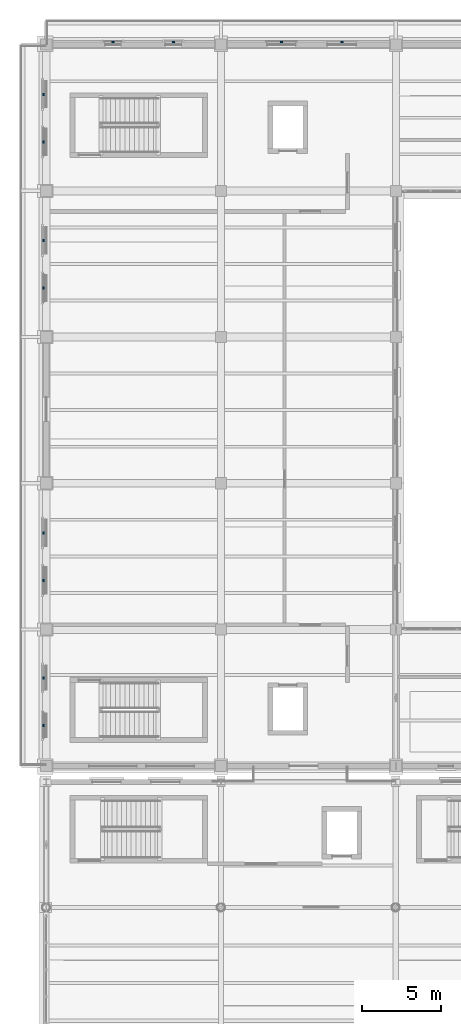
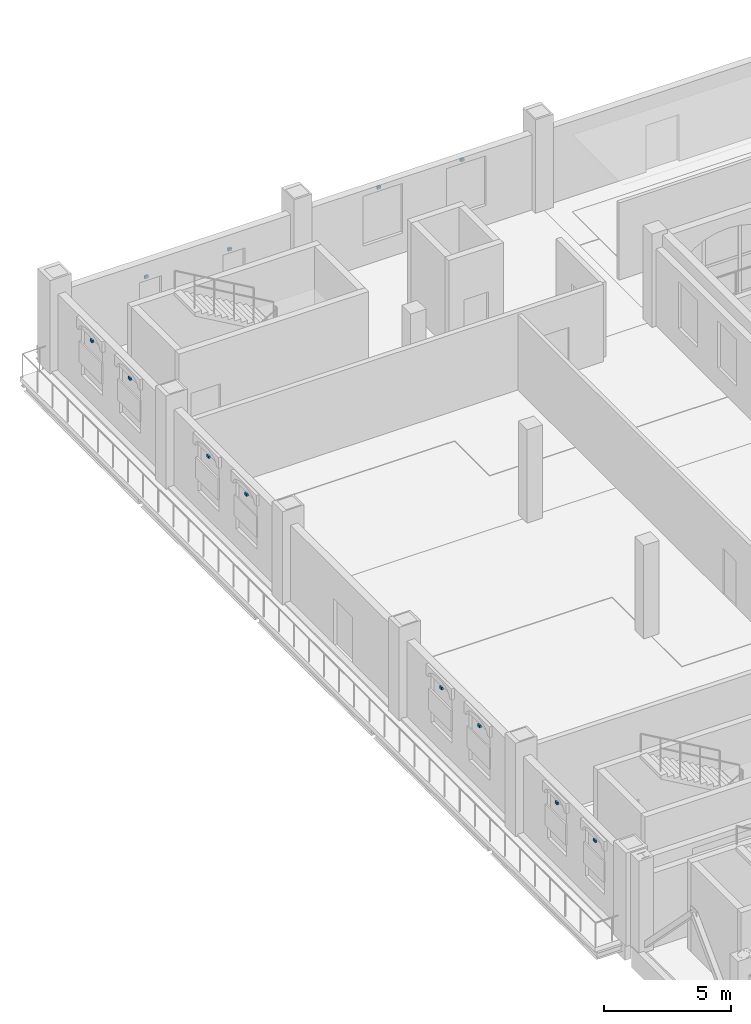
# One storey, part 132 of 156: 12 discrete accessories.
"""IFC4 building model written with IfcOpenShell, lengths in metres."""

from ifc_helpers import new_model, si_unit, direction, frame, origin, origin_2d, place, context, subcontext, project, spatial, rectangle, extrude, material, type_object, element, save


model = new_model("IFC4")

# Units and contexts
model_context = context("Model", 3, precision=1e-05, world=origin(), true_north=direction((0.0, 1.0)))
body_context = subcontext(model_context, "Body", "Model", "MODEL_VIEW")
ifc_project = project(units=[si_unit("LENGTHUNIT", "METRE"), si_unit("AREAUNIT", "SQUARE_METRE"), si_unit("VOLUMEUNIT", "CUBIC_METRE"), si_unit("PLANEANGLEUNIT", "RADIAN"), si_unit("MASSUNIT", "GRAM", prefix="KILO")], contexts=[model_context])

# Site, building, storey
site_placement = place(None, origin())
site = spatial("IfcSite", under=ifc_project, at=site_placement, CompositionType="ELEMENT")
building_placement = place(site_placement, origin())
building = spatial("IfcBuilding", under=site, at=building_placement, Name="Caurita Quay Ferry Terminal", CompositionType="ELEMENT")
storey_placement = place(building_placement, frame((0.0, 0.0, 5.39990234375)))
storey = spatial("IfcBuildingStorey", under=building, at=storey_placement, Name="L01", CompositionType="ELEMENT", Elevation=5.39990234375)

# Discrete accessories
ifc_material = material(Name="Structural plate steel ASTM A572 Gr. 50", Category="steel")
discrete_accessory_type = type_object("IfcDiscreteAccessoryType", Name="ACC-BRK-01", PredefinedType="BRACKET", material=ifc_material)
for number, where, z_axis, x_axis, name in (
    (1, (8.0, 117.169921875, 2.610107421875), (0.0, 0.0, 1.0), (-1.0, 0.0, 0.0), "L01 Sun-Breaker Bracket 001"),
    (2, (4.199951171875, 117.169921875, 2.610107421875), (0.0, 0.0, 1.0), (-1.0, 0.0, 0.0), "L01 Sun-Breaker Bracket 002"),
    (3, (18.60009765625, 117.169921875, 3.2099609375), (0.0, 0.0, 1.0), (-1.0, 0.0, 0.0), "L01 Sun-Breaker Bracket 003"),
    (4, (14.800048828125, 117.169921875, 3.2099609375), (0.0, 0.0, 1.0), (-1.0, 0.0, 0.0), "L01 Sun-Breaker Bracket 004"),
    (5, (-0.169921875, 77.14990234375, 3.06005859375), (0.0, 0.0, 1.0), (0.0, -1.0, 0.0), "L01 Sun-Breaker Bracket 035"),
    (6, (-0.169921875, 74.14990234375, 3.06005859375), (0.0, 0.0, 1.0), (0.0, -1.0, 0.0), "L01 Sun-Breaker Bracket 036"),
    (7, (-0.169921875, 86.27490234375, 3.06005859375), (0.0, 0.0, 1.0), (0.0, -1.0, 0.0), "L01 Sun-Breaker Bracket 037"),
    (8, (-0.169921875, 83.27490234375, 3.06005859375), (0.0, 0.0, 1.0), (0.0, -1.0, 0.0), "L01 Sun-Breaker Bracket 038"),
    (9, (-0.169921875, 104.675048828125, 3.06005859375), (0.0, 0.0, 1.0), (0.0, -1.0, 0.0), "L01 Sun-Breaker Bracket 039"),
    (10, (-0.169921875, 101.675048828125, 3.06005859375), (0.0, 0.0, 1.0), (0.0, -1.0, 0.0), "L01 Sun-Breaker Bracket 040"),
    (11, (-0.169921875, 113.875, 3.06005859375), (0.0, 0.0, 1.0), (0.0, -1.0, 0.0), "L01 Sun-Breaker Bracket 041"),
    (12, (-0.169921875, 110.875, 3.06005859375), (0.0, 0.0, 1.0), (0.0, -1.0, 0.0), "L01 Sun-Breaker Bracket 042"),
):
    element("IfcDiscreteAccessory", number, at=place(storey_placement, frame(where, z_axis=z_axis, x_axis=x_axis)), inside=storey, type_object=discrete_accessory_type, Name=name, PredefinedType="BRACKET", context=body_context, shape_type="SweptSolid", body=[
        extrude(rectangle(XDim=0.159912109375, YDim=0.10009765625, at=origin_2d()), origin(), (0.0, 0.0, 1.0), 0.1201171875),
    ])

save(model, "model.ifc")
